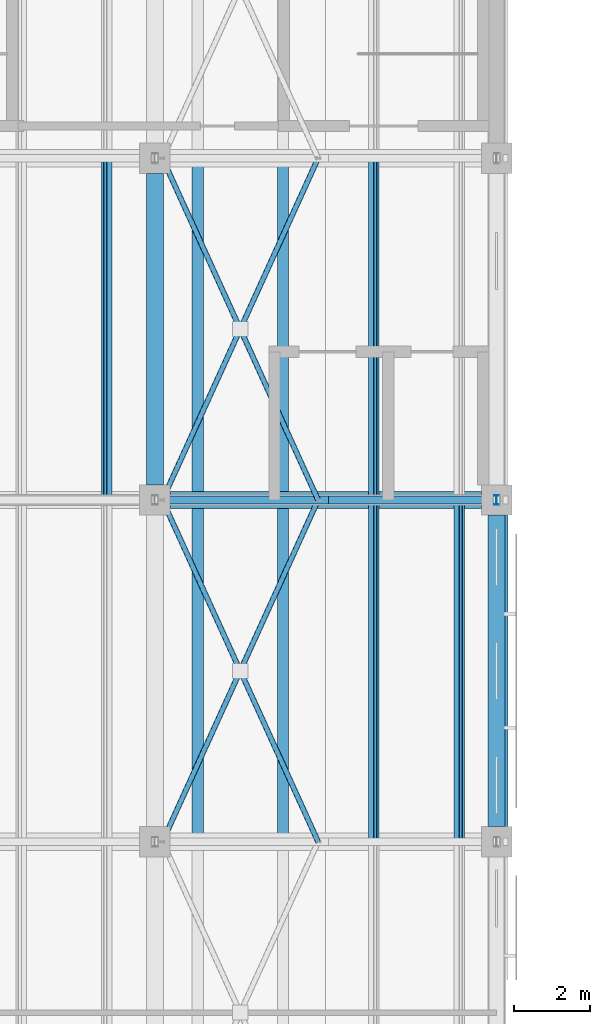
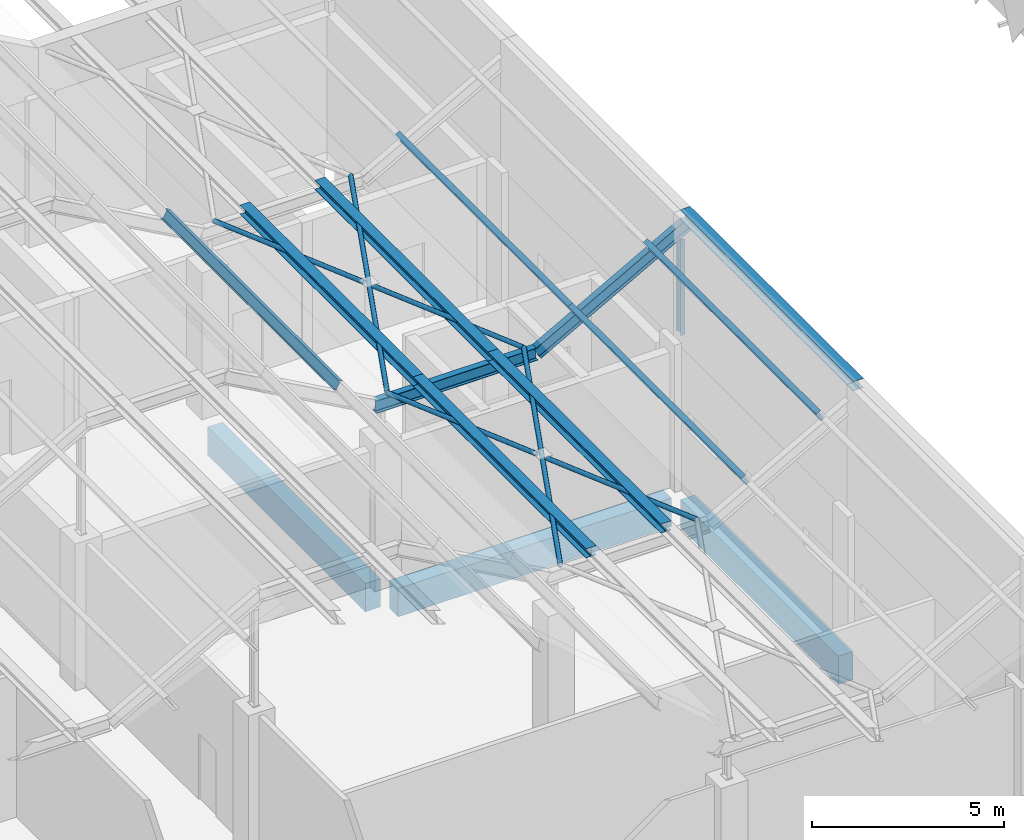
# One storey, part 73 of 437: 18 members, 3 beams.
"""IFC4 building model written with IfcOpenShell, lengths in metres."""

from ifc_helpers import new_model, si_unit, direction, frame, origin, origin_2d, place, context, subcontext, project, spatial, rectangle, hollow_circle, i_section, extrude, material, material_profile, profile_set, type_object, element, save


model = new_model("IFC4")

# Units and contexts
model_context = context("Model", 3, precision=1e-05, world=origin(), true_north=direction((0.0, 1.0)))
body_context = subcontext(model_context, "Body", "Model", "MODEL_VIEW")
ifc_project = project(units=[si_unit("LENGTHUNIT", "METRE"), si_unit("AREAUNIT", "SQUARE_METRE"), si_unit("VOLUMEUNIT", "CUBIC_METRE"), si_unit("PLANEANGLEUNIT", "RADIAN"), si_unit("MASSUNIT", "GRAM", prefix="KILO")], contexts=[model_context])

# Site, building, storey
site_placement = place(None, origin())
site = spatial("IfcSite", under=ifc_project, at=site_placement, CompositionType="ELEMENT")
building_placement = place(site_placement, origin())
building = spatial("IfcBuilding", under=site, at=building_placement, Name="Opaline Strait Convention Centre", CompositionType="ELEMENT")
storey_placement = place(building_placement, frame((0.0, 0.0, 11.5)))
storey = spatial("IfcBuildingStorey", under=building, at=storey_placement, Name="L02", CompositionType="ELEMENT", Elevation=11.5)

# Members
ifc_material_1 = material(Name="Steel Q355B", Category="steel")
ifc_material_profile_1 = material_profile(ifc_material_1, i_section(OverallWidth=0.300048828125, OverallDepth=0.300048828125, WebThickness=0.010009765625, FlangeThickness=0.014892578125, FilletRadius=0.012939453125, at=origin_2d()), Name="HW 300x300x10x15")
ifc_profile_set_1 = profile_set([ifc_material_profile_1], Name="Steel Q355B")
member_type_1 = type_object("IfcMemberType", Name="Crest purlin HW 300x300x10x15", PredefinedType="PURLIN", material=ifc_profile_set_1)
for number, where, z_axis, x_axis, name in (
    (1, (73.125, 72.0, 5.949951171875), (0.0, 1.0, 0.0), (-1.0, 0.0, 0.0), "RU1 purlin facet 15 line 1"),
    (2, (73.125, 81.0, 5.949951171875), (0.0, 1.0, 0.0), (-1.0, 0.0, 0.0), "RU1 purlin facet 15 line 1"),
    (3, (75.375, 72.0, 5.949951171875), (0.0, 1.0, 0.0), (-1.0, 0.0, 0.0), "RU1 purlin facet 15 line 2"),
    (4, (75.375, 81.0, 5.949951171875), (0.0, 1.0, 0.0), (-1.0, 0.0, 0.0), "RU1 purlin facet 15 line 2"),
    (5, (81.14990234375, 72.0, 8.449951171875), (0.0, 1.0, 0.0), (-1.0, 0.0, 0.0), "RU1 purlin facet 17 line 1"),
):
    element("IfcMember", number, at=place(storey_placement, frame(where, z_axis=z_axis, x_axis=x_axis)), inside=storey, type_object=member_type_1, Name=name, PredefinedType="PURLIN", context=body_context, shape_type="SweptSolid", body=[
        extrude(i_section(OverallWidth=0.300048828125, OverallDepth=0.300048828125, WebThickness=0.010009765625, FlangeThickness=0.014892578125, FilletRadius=0.012939453125, at=origin_2d()), origin(), (0.0, 0.0, 1.0), 9.0),
    ])

# Beams
ifc_material_2 = material(Name="Concrete C35", Category="concrete")
ifc_material_profile_2 = material_profile(ifc_material_2, rectangle(XDim=0.449951171875, YDim=0.89990234375, at=origin_2d()), Name="RC 450x900")
ifc_profile_set_2 = profile_set([ifc_material_profile_2], Name="Concrete C35")
beam_type = type_object("IfcBeamType", Name="RC beam 450x900 C35", PredefinedType="BEAM", material=ifc_profile_set_2)
for number, where, z_axis, x_axis, name in (
    (6, (72.39990234375, 81.0, -0.72998046875), (1.0, 0.0, 0.0), (0.0, 1.0, 0.0), "XB1 L02 72/81-81/81"),
    (7, (72.0, 81.39990234375, -0.72998046875), (0.0, 1.0, 0.0), (-1.0, 0.0, 0.0), "XB1 L02 72/81-72/90"),
    (8, (81.0, 72.39990234375, -0.72998046875), (0.0, 1.0, 0.0), (-1.0, 0.0, 0.0), "XB1 L02 81/72-81/81"),
):
    element("IfcBeam", number, at=place(storey_placement, frame(where, z_axis=z_axis, x_axis=x_axis)), inside=storey, type_object=beam_type, Name=name, PredefinedType="BEAM", context=body_context, shape_type="SweptSolid", body=[
        extrude(rectangle(XDim=0.449951171875, YDim=0.89990234375, at=origin_2d()), origin(), (0.0, 0.0, 1.0), 8.2001953125),
    ])

# Members
ifc_material_profile_3 = material_profile(ifc_material_1, hollow_circle(Radius=0.070068359375, WallThickness=0.0048828125, at=origin_2d()), Name="CHS 140x5")
ifc_profile_set_3 = profile_set([ifc_material_profile_3], Name="Steel Q355B")
member_type_2 = type_object("IfcMemberType", Name="Roof bracing CHS 140x5", PredefinedType="BRACE", material=ifc_profile_set_3)
member_1_placement = place(storey_placement, frame((72.199951171875, 72.0, 5.8701171875), z_axis=(0.414572789354, 0.910016154981, 0.0), x_axis=(-0.910016154981, 0.414572789354, 0.0)))
element("IfcMember", 9, at=member_1_placement, inside=storey, type_object=member_type_2, Name="RX1 roof brace bay 8 at 72", PredefinedType="BRACE", context=body_context, shape_type="SweptSolid", body=[
    extrude(hollow_circle(Radius=0.070068359375, WallThickness=0.0048828125, at=origin_2d()), origin(), (0.0, 0.0, 1.0), 9.889892578125),
])
for number, where, z_axis, x_axis, name in (
    (10, (76.300048828125, 72.0, 5.8701171875), (-0.41458243593, 0.910011760264, 0.0), (-0.910011760264, -0.41458243593, 0.0), "RX1 roof brace bay 8 at 72"),
    (11, (74.185546875, 76.6416015625, 5.8701171875), (-0.41458243593, 0.910011760264, 0.0), (-0.910011760264, -0.41458243593, 0.0), "RX1 roof brace bay 8 at 72"),
):
    element("IfcMember", number, at=place(storey_placement, frame(where, z_axis=z_axis, x_axis=x_axis)), inside=storey, type_object=member_type_2, Name=name, PredefinedType="BRACE", context=body_context, shape_type="SweptSolid", body=[
        extrude(hollow_circle(Radius=0.070068359375, WallThickness=0.0048828125, at=origin_2d()), origin(), (0.0, 0.0, 1.0), 4.789306640625),
    ])
member_2_placement = place(storey_placement, frame((72.199951171875, 81.0, 5.8701171875), z_axis=(0.414572789354, 0.910016154981, 0.0), x_axis=(-0.910016154981, 0.414572789354, 0.0)))
element("IfcMember", 12, at=member_2_placement, inside=storey, type_object=member_type_2, Name="RX1 roof brace bay 9 at 72", PredefinedType="BRACE", context=body_context, shape_type="SweptSolid", body=[
    extrude(hollow_circle(Radius=0.070068359375, WallThickness=0.0048828125, at=origin_2d()), origin(), (0.0, 0.0, 1.0), 9.889892578125),
])
for number, where, z_axis, x_axis, name in (
    (13, (76.300048828125, 81.0, 5.8701171875), (-0.41458243593, 0.910011760264, 0.0), (-0.910011760264, -0.41458243593, 0.0), "RX1 roof brace bay 9 at 72"),
    (14, (74.185546875, 85.6416015625, 5.8701171875), (-0.41458243593, 0.910011760264, 0.0), (-0.910011760264, -0.41458243593, 0.0), "RX1 roof brace bay 9 at 72"),
):
    element("IfcMember", number, at=place(storey_placement, frame(where, z_axis=z_axis, x_axis=x_axis)), inside=storey, type_object=member_type_2, Name=name, PredefinedType="BRACE", context=body_context, shape_type="SweptSolid", body=[
        extrude(hollow_circle(Radius=0.070068359375, WallThickness=0.0048828125, at=origin_2d()), origin(), (0.0, 0.0, 1.0), 4.789306640625),
    ])
ifc_material_profile_4 = material_profile(ifc_material_1, i_section(OverallWidth=0.125, OverallDepth=0.25, WebThickness=0.006103515625, FlangeThickness=0.009033203125, FilletRadius=0.008056640625, at=origin_2d()), Name="HN 250x125x6x9")
ifc_profile_set_4 = profile_set([ifc_material_profile_4], Name="Steel Q355B")
member_type_3 = type_object("IfcMemberType", Name="Roof post HN 250x125x6x9", PredefinedType="STRUT", material=ifc_profile_set_4)
member_3_placement = place(storey_placement, frame((81.0, 81.0, 4.68994140625), z_axis=(0.0, 0.0, 1.0), x_axis=(1.0, 0.0, 0.0)))
element("IfcMember", 15, at=member_3_placement, inside=storey, type_object=member_type_3, Name="RP1 roof post at 81/81", PredefinedType="STRUT", context=body_context, shape_type="SweptSolid", body=[
    extrude(i_section(OverallWidth=0.125, OverallDepth=0.25, WebThickness=0.006103515625, FlangeThickness=0.009033203125, FilletRadius=0.008056640625, at=origin_2d()), origin(), (0.0, 0.0, 1.0), 3.031005859375),
])
ifc_material_profile_5 = material_profile(ifc_material_1, i_section(OverallWidth=0.14990234375, OverallDepth=0.300048828125, WebThickness=0.006591796875, FlangeThickness=0.009033203125, FilletRadius=0.012939453125, at=origin_2d()), Name="HN 300x150x6.5x9")
ifc_profile_set_5 = profile_set([ifc_material_profile_5], Name="Steel Q355B")
member_type_4 = type_object("IfcMemberType", Name="Roof purlin HN 300x150x6.5x9", PredefinedType="PURLIN", material=ifc_profile_set_5)
for number, where, z_axis, x_axis, name in (
    (16, (70.729248046875, 81.0, 6.61279296875), (0.0, 1.0, 0.0), (-0.874157310866, 0.0, 0.485642868639), "RU1 purlin facet 14 line 2"),
    (17, (77.770751953125, 72.0, 6.61279296875), (0.0, 1.0, 0.0), (-0.874157310866, 0.0, -0.485642868639), "RU1 purlin facet 16 line 1"),
    (18, (77.770751953125, 81.0, 6.61279296875), (0.0, 1.0, 0.0), (-0.874157310866, 0.0, -0.485642868639), "RU1 purlin facet 16 line 1"),
    (19, (80.020751953125, 72.0, 7.86279296875), (0.0, 1.0, 0.0), (-0.874157310866, 0.0, -0.485642868639), "RU1 purlin facet 16 line 2"),
):
    element("IfcMember", number, at=place(storey_placement, frame(where, z_axis=z_axis, x_axis=x_axis)), inside=storey, type_object=member_type_4, Name=name, PredefinedType="PURLIN", context=body_context, shape_type="SweptSolid", body=[
        extrude(i_section(OverallWidth=0.14990234375, OverallDepth=0.300048828125, WebThickness=0.006591796875, FlangeThickness=0.009033203125, FilletRadius=0.012939453125, at=origin_2d()), origin(), (0.0, 0.0, 1.0), 9.0),
    ])
ifc_material_profile_6 = material_profile(ifc_material_1, i_section(OverallWidth=0.199951171875, OverallDepth=0.39990234375, WebThickness=0.008056640625, FlangeThickness=0.012939453125, FilletRadius=0.012939453125, at=origin_2d()), Name="HN 400x200x8x13")
ifc_profile_set_6 = profile_set([ifc_material_profile_6], Name="Steel Q355B")
member_type_5 = type_object("IfcMemberType", Name="Roof rafter HN 400x200x8x13", PredefinedType="RAFTER", material=ifc_profile_set_6)
member_4_placement = place(storey_placement, frame((71.83154296875, 81.0, 5.60009765625), z_axis=(1.0, 0.0, 0.0), x_axis=(0.0, 1.0, 0.0)))
element("IfcMember", 20, at=member_4_placement, inside=storey, type_object=member_type_5, Name="RR1 rafter line 9 facet 16", PredefinedType="RAFTER", context=body_context, shape_type="SweptSolid", body=[
    extrude(i_section(OverallWidth=0.199951171875, OverallDepth=0.39990234375, WebThickness=0.008056640625, FlangeThickness=0.012939453125, FilletRadius=0.012939453125, at=origin_2d()), origin(), (0.0, 0.0, 1.0), 4.8369140625),
])
member_5_placement = place(storey_placement, frame((76.66845703125, 81.0, 5.60009765625), z_axis=(0.874157276122, 0.0, 0.485642931179), x_axis=(0.0, 1.0, 0.0)))
element("IfcMember", 21, at=member_5_placement, inside=storey, type_object=member_type_5, Name="RR1 rafter line 9 facet 17", PredefinedType="RAFTER", context=body_context, shape_type="SweptSolid", body=[
    extrude(i_section(OverallWidth=0.199951171875, OverallDepth=0.39990234375, WebThickness=0.008056640625, FlangeThickness=0.012939453125, FilletRadius=0.012939453125, at=origin_2d()), origin(), (0.0, 0.0, 1.0), 5.147705078125),
])

save(model, "model.ifc")
